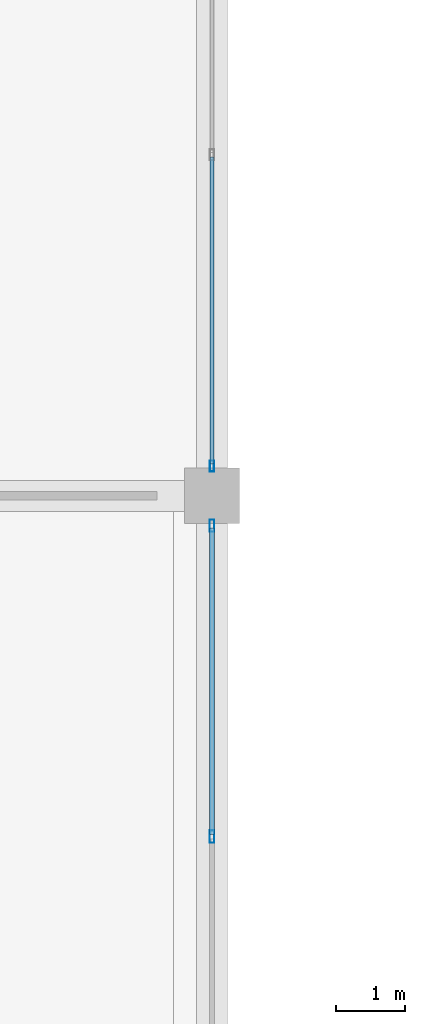
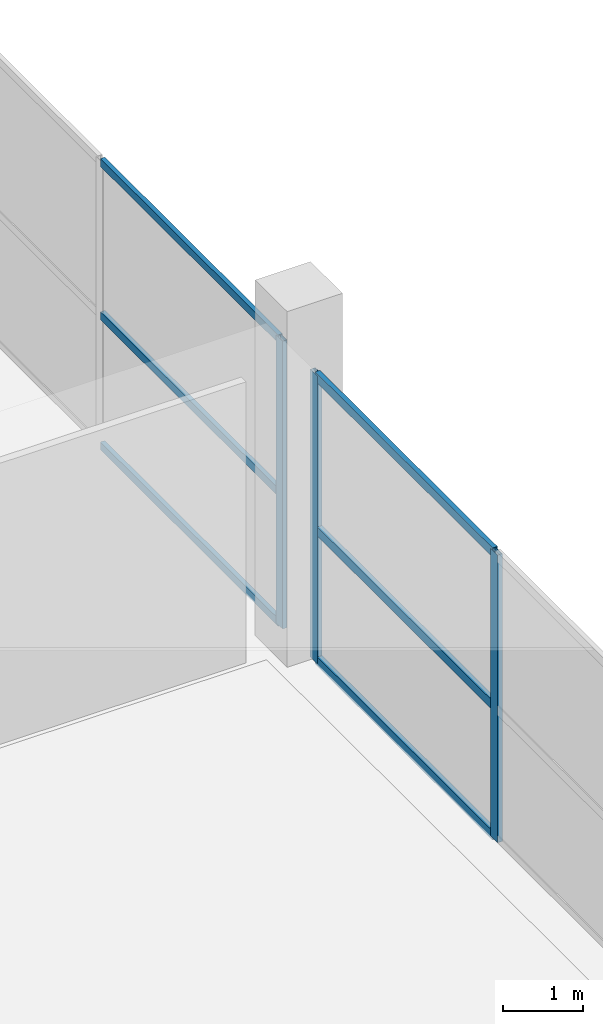
# One storey, part 31 of 74: 9 members, 2 elements without a shape of their own.
"""IFC4 building model written with IfcOpenShell, lengths in metres."""

from ifc_helpers import new_model, si_unit, direction, frame, origin, origin_2d, place, context, subcontext, project, spatial, hollow_rectangle, extrude, material, layer, layer_set, material_profile, profile_set, type_object, element, aggregate, save


model = new_model("IFC4")

# Units and contexts
model_context = context("Model", 3, precision=1e-05, world=origin(), true_north=direction((0.0, 1.0)))
body_context = subcontext(model_context, "Body", "Model", "MODEL_VIEW")
ifc_project = project(units=[si_unit("LENGTHUNIT", "METRE"), si_unit("AREAUNIT", "SQUARE_METRE"), si_unit("VOLUMEUNIT", "CUBIC_METRE"), si_unit("PLANEANGLEUNIT", "RADIAN"), si_unit("MASSUNIT", "GRAM", prefix="KILO")], contexts=[model_context])

# Site, building, storey
site_placement = place(None, origin())
site = spatial("IfcSite", under=ifc_project, at=site_placement, CompositionType="ELEMENT")
building_placement = place(site_placement, origin())
building = spatial("IfcBuilding", under=site, at=building_placement, Name="Sillaruma Civic Art Gallery", CompositionType="ELEMENT")
storey_placement = place(building_placement, frame((0.0, 0.0, 5.43994140625)))
storey = spatial("IfcBuildingStorey", under=building, at=storey_placement, Name="L01", CompositionType="ELEMENT", Elevation=5.43994140625)

# Curtain wall, member
ifc_material = material(Name="Thermally Broken Extruded Aluminium 6063-T6", Category="aluminium")
ifc_layer_1 = layer(ifc_material, 0.159912109375, Name="Thermally Broken Extruded Aluminium 6063-T6")
ifc_layer_set_1 = layer_set([ifc_layer_1], Name="Thermally Broken Extruded Aluminium 6063-T6")
curtain_wall_type_1 = type_object("IfcCurtainWallType", Name="CW-UNI-17", PredefinedType="NOTDEFINED", material=ifc_layer_set_1)
curtain_wall_1_placement = place(storey_placement, origin())
curtain_wall_1 = element("IfcCurtainWall", 1, at=curtain_wall_1_placement, inside=storey, type_object=curtain_wall_type_1, Name="Unitised Curtain Wall CW-17 (CW-L01-SPE-6)", PredefinedType="NOTDEFINED")
ifc_material_profile_1 = material_profile(ifc_material, hollow_rectangle(XDim=0.06494140625, YDim=0.159912109375, WallThickness=0.00390625, at=origin_2d()), Name="CWM65x160")
ifc_profile_set_1 = profile_set([ifc_material_profile_1], Name="Thermally Broken Extruded Aluminium 6063-T6")
member_type_1 = type_object("IfcMemberType", Name="MEM-MUL-CWM65x160", PredefinedType="MULLION", material=ifc_profile_set_1)
member_1_placement = place(storey_placement, frame((114.39990234375, 69.732421875, 0.0), z_axis=(0.0, 0.0, 1.0), x_axis=(-1.0, 0.0, 0.0)))
member_1 = element("IfcMember", 2, at=member_1_placement, type_object=member_type_1, Name="CW-17 mullion 1", PredefinedType="MULLION", context=body_context, shape_type="SweptSolid", body=[
    extrude(hollow_rectangle(XDim=0.06494140625, YDim=0.159912109375, WallThickness=0.00390625, at=origin_2d()), origin(), (0.0, 0.0, 1.0), 4.400146484375),
])

# Curtain wall, members
ifc_layer_2 = layer(ifc_material, 0.179931640625, Name="Thermally Broken Extruded Aluminium 6063-T6")
ifc_layer_set_2 = layer_set([ifc_layer_2], Name="Thermally Broken Extruded Aluminium 6063-T6")
curtain_wall_type_2 = type_object("IfcCurtainWallType", Name="CW-UNI-16", PredefinedType="NOTDEFINED", material=ifc_layer_set_2)
curtain_wall_2_placement = place(storey_placement, origin())
curtain_wall_2 = element("IfcCurtainWall", 3, at=curtain_wall_2_placement, inside=storey, type_object=curtain_wall_type_2, Name="Unitised Curtain Wall CW-16 (CW-L01-SPE-5)", PredefinedType="NOTDEFINED")
ifc_material_profile_2 = material_profile(ifc_material, hollow_rectangle(XDim=0.070068359375, YDim=0.179931640625, WallThickness=0.00390625, at=origin_2d()), Name="CWM70x180")
ifc_profile_set_2 = profile_set([ifc_material_profile_2], Name="Thermally Broken Extruded Aluminium 6063-T6")
member_type_2 = type_object("IfcMemberType", Name="MEM-MUL-CWM70x180", PredefinedType="MULLION", material=ifc_profile_set_2)
member_2_placement = place(storey_placement, frame((114.39990234375, 64.35009765625, 0.0), z_axis=(0.0, 0.0, 1.0), x_axis=(-1.0, 0.0, 0.0)))
member_2 = element("IfcMember", 4, at=member_2_placement, type_object=member_type_2, Name="CW-16 mullion 2", PredefinedType="MULLION", context=body_context, shape_type="SweptSolid", body=[
    extrude(hollow_rectangle(XDim=0.070068359375, YDim=0.179931640625, WallThickness=0.00390625, at=origin_2d()), origin(), (0.0, 0.0, 1.0), 4.400146484375),
])
member_3_placement = place(storey_placement, frame((114.39990234375, 68.864990234375, 0.0), z_axis=(0.0, 0.0, 1.0), x_axis=(-1.0, 0.0, 0.0)))
member_3 = element("IfcMember", 5, at=member_3_placement, type_object=member_type_2, Name="CW-16 mullion 3", PredefinedType="MULLION", context=body_context, shape_type="SweptSolid", body=[
    extrude(hollow_rectangle(XDim=0.070068359375, YDim=0.179931640625, WallThickness=0.00390625, at=origin_2d()), origin(), (0.0, 0.0, 1.0), 4.400146484375),
])

# Member
ifc_material_profile_3 = material_profile(ifc_material, hollow_rectangle(XDim=0.06494140625, YDim=0.1201171875, WallThickness=0.00341796875, at=origin_2d()), Name="CWT65x120")
ifc_profile_set_3 = profile_set([ifc_material_profile_3], Name="Thermally Broken Extruded Aluminium 6063-T6")
member_type_3 = type_object("IfcMemberType", Name="MEM-TRN-CWT65x120", PredefinedType="USERDEFINED", material=ifc_profile_set_3)
member_4_placement = place(storey_placement, frame((114.39990234375, 69.764892578125, 0.032470703125), z_axis=(0.0, 1.0, 0.0), x_axis=(-1.0, 0.0, 0.0)))
member_4 = element("IfcMember", 6, at=member_4_placement, type_object=member_type_3, Name="CW-17 transom 1.1", ObjectType="TRANSOM", PredefinedType="USERDEFINED", context=body_context, shape_type="SweptSolid", body=[
    extrude(hollow_rectangle(XDim=0.06494140625, YDim=0.1201171875, WallThickness=0.00341796875, at=origin_2d()), origin(), (0.0, 0.0, 1.0), 4.45263671875),
])

member_5_placement = place(storey_placement, frame((114.39990234375, 69.764892578125, 2.024169921875), z_axis=(0.0, 1.0, 0.0), x_axis=(-1.0, 0.0, 0.0)))
member_5 = element("IfcMember", 7, at=member_5_placement, type_object=member_type_3, Name="CW-17 transom 1.2", ObjectType="TRANSOM", PredefinedType="USERDEFINED", context=body_context, shape_type="SweptSolid", body=[
    extrude(hollow_rectangle(XDim=0.06494140625, YDim=0.1201171875, WallThickness=0.00341796875, at=origin_2d()), origin(), (0.0, 0.0, 1.0), 4.45263671875),
])

member_6_placement = place(storey_placement, frame((114.39990234375, 69.764892578125, 4.36767578125), z_axis=(0.0, 1.0, 0.0), x_axis=(-1.0, 0.0, 0.0)))
member_6 = element("IfcMember", 8, at=member_6_placement, type_object=member_type_3, Name="CW-17 transom 1.3", ObjectType="TRANSOM", PredefinedType="USERDEFINED", context=body_context, shape_type="SweptSolid", body=[
    extrude(hollow_rectangle(XDim=0.06494140625, YDim=0.1201171875, WallThickness=0.00341796875, at=origin_2d()), origin(), (0.0, 0.0, 1.0), 4.45263671875),
])

aggregate(curtain_wall_1, [member_1, member_4, member_5, member_6])

ifc_material_profile_4 = material_profile(ifc_material, hollow_rectangle(XDim=0.070068359375, YDim=0.139892578125, WallThickness=0.00390625, at=origin_2d()), Name="CWT70x140")
ifc_profile_set_4 = profile_set([ifc_material_profile_4], Name="Thermally Broken Extruded Aluminium 6063-T6")
member_type_4 = type_object("IfcMemberType", Name="MEM-TRN-CWT70x140", PredefinedType="USERDEFINED", material=ifc_profile_set_4)
member_7_placement = place(storey_placement, frame((114.39990234375, 64.385009765625, 0.03515625), z_axis=(0.0, 1.0, 0.0), x_axis=(-1.0, 0.0, 0.0)))
member_7 = element("IfcMember", 9, at=member_7_placement, type_object=member_type_4, Name="CW-16 transom 2.1", ObjectType="TRANSOM", PredefinedType="USERDEFINED", context=body_context, shape_type="SweptSolid", body=[
    extrude(hollow_rectangle(XDim=0.070068359375, YDim=0.139892578125, WallThickness=0.00390625, at=origin_2d()), origin(), (0.0, 0.0, 1.0), 4.445068359375),
])

member_8_placement = place(storey_placement, frame((114.39990234375, 64.385009765625, 2.024169921875), z_axis=(0.0, 1.0, 0.0), x_axis=(-1.0, 0.0, 0.0)))
member_8 = element("IfcMember", 10, at=member_8_placement, type_object=member_type_4, Name="CW-16 transom 2.2", ObjectType="TRANSOM", PredefinedType="USERDEFINED", context=body_context, shape_type="SweptSolid", body=[
    extrude(hollow_rectangle(XDim=0.070068359375, YDim=0.139892578125, WallThickness=0.00390625, at=origin_2d()), origin(), (0.0, 0.0, 1.0), 4.445068359375),
])

member_9_placement = place(storey_placement, frame((114.39990234375, 64.385009765625, 4.364990234375), z_axis=(0.0, 1.0, 0.0), x_axis=(-1.0, 0.0, 0.0)))
member_9 = element("IfcMember", 11, at=member_9_placement, type_object=member_type_4, Name="CW-16 transom 2.3", ObjectType="TRANSOM", PredefinedType="USERDEFINED", context=body_context, shape_type="SweptSolid", body=[
    extrude(hollow_rectangle(XDim=0.070068359375, YDim=0.139892578125, WallThickness=0.00390625, at=origin_2d()), origin(), (0.0, 0.0, 1.0), 4.445068359375),
])

aggregate(curtain_wall_2, [member_2, member_3, member_7, member_8, member_9])

save(model, "model.ifc")
